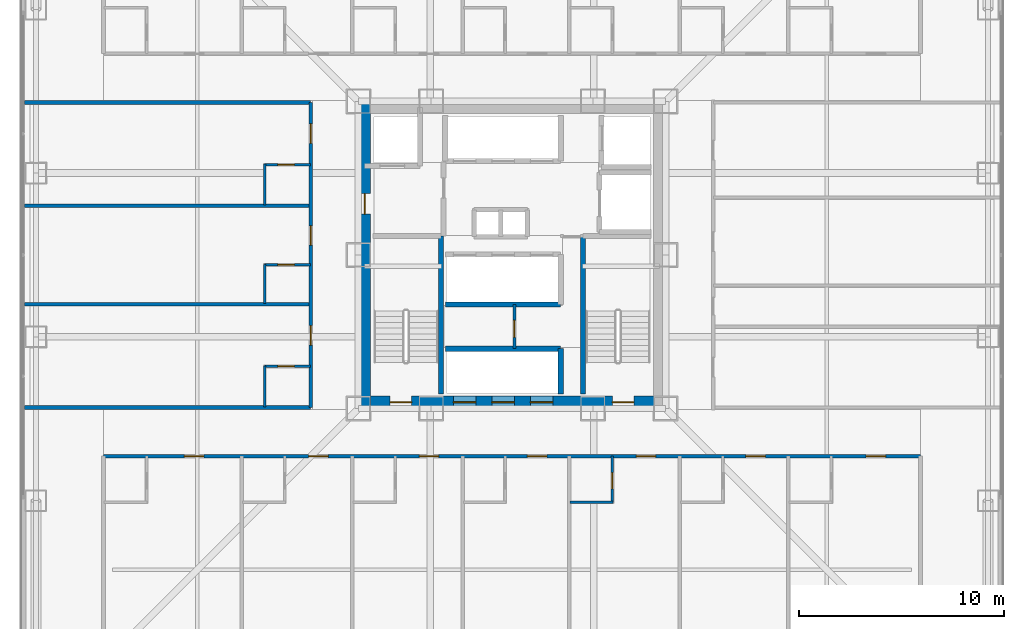
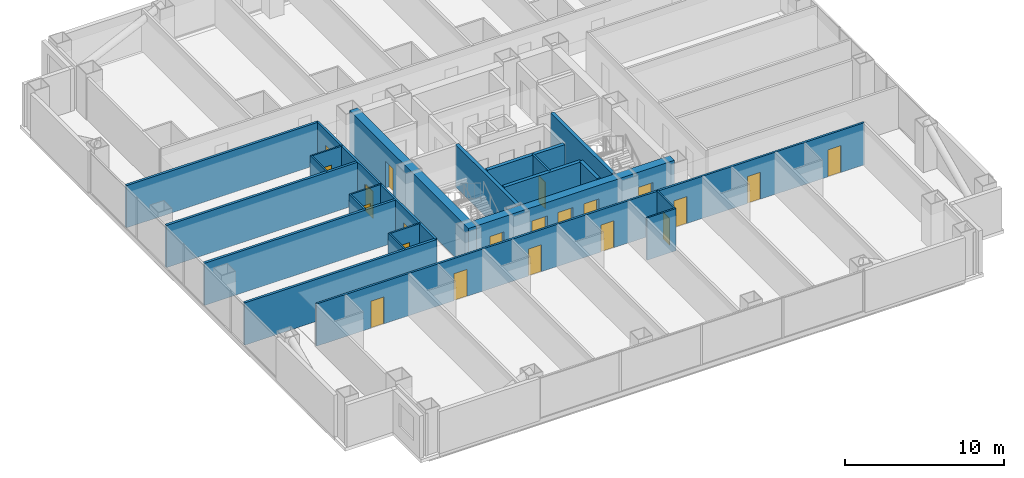
# One storey, part 17 of 23: 22 walls, 21 doors, 21 openings.
"""IFC4 building model written with IfcOpenShell, lengths in metres."""

from ifc_helpers import new_model, si_unit, direction, frame, frame_2d, origin, place, context, subcontext, project, spatial, rectangle, extrude, material, layer, layer_set, type_object, element, fill, save


model = new_model("IFC4")

# Units and contexts
model_context = context("Model", 3, precision=1e-05, world=origin(), true_north=direction((0.0, 1.0)))
body_context = subcontext(model_context, "Body", "Model", "MODEL_VIEW")
ifc_project = project(units=[si_unit("LENGTHUNIT", "METRE"), si_unit("AREAUNIT", "SQUARE_METRE"), si_unit("VOLUMEUNIT", "CUBIC_METRE"), si_unit("PLANEANGLEUNIT", "RADIAN"), si_unit("MASSUNIT", "GRAM", prefix="KILO")], contexts=[model_context])

# Site, building, storey
site_placement = place(None, origin())
site = spatial("IfcSite", under=ifc_project, at=site_placement, CompositionType="ELEMENT")
building_placement = place(site_placement, origin())
building = spatial("IfcBuilding", under=site, at=building_placement, Name="Trevonay Congress Spire", CompositionType="ELEMENT")
storey_placement = place(building_placement, frame((0.0, 0.0, 34.0)))
storey = spatial("IfcBuildingStorey", under=building, at=storey_placement, Name="L07", CompositionType="ELEMENT", Elevation=34.0)

# Wall, opening, door
ifc_material_1 = material(Name="Concrete C40/50", Category="concrete")
ifc_layer_1 = layer(ifc_material_1, 0.1201171875, Name="Concrete C40/50")
ifc_layer_set_1 = layer_set([ifc_layer_1], Name="Concrete C40/50")
wall_type_1 = type_object("IfcWallType", Name="WAL-BATH-120", PredefinedType="PLUMBINGWALL", material=ifc_layer_set_1)
wall_1_placement = place(storey_placement, frame((4.89990234375, -12.080078125, 0.0), z_axis=(0.0, 0.0, 1.0), x_axis=(0.0, 1.0, 0.0)))
wall_1 = element("IfcWall", 1, at=wall_1_placement, inside=storey, type_object=wall_type_1, Name="L07 interior wall WH-L07S-BS5", PredefinedType="PLUMBINGWALL", context=body_context, shape_type="SweptSolid", body=[
    extrude(rectangle(XDim=2.25, YDim=0.1201171875, at=frame_2d((1.125, 0.0))), origin(), (0.0, 0.0, 1.0), 3.25),
])
opening_1_placement = place(wall_1_placement, frame((0.64990234375, 0.0, 0.0)))
opening_1 = element("IfcOpeningElement", 2, at=opening_1_placement, cuts=wall_1, Name="Opening D11", PredefinedType="OPENING", context=body_context, shape_type="SweptSolid", body=[
    extrude(rectangle(XDim=0.800048828125, YDim=2.050048828125, at=frame_2d((0.39990234375, 1.02490234375))), frame((0.0, 0.070068359375, 0.0), z_axis=(0.0, -1.0, 0.0), x_axis=(1.0, 0.0, 0.0)), (0.0, 0.0, 1.0), 0.14013671875),
])
ifc_material_2 = material(Name="Pale Anodised Aluminium EN AW-6063-T6", Category="aluminium")
door_type_1 = type_object("IfcDoorType", Name="DOR-BATH-80", OperationType="NOTDEFINED", PredefinedType="DOOR", material=ifc_material_2)
door_1_placement = place(opening_1_placement, origin())
door_1 = element("IfcDoor", 3, at=door_1_placement, inside=storey, type_object=door_type_1, Name="L07 En-suite Bathroom Door", OperationType="SINGLE_SWING_LEFT", OverallHeight=2.050048828125, OverallWidth=0.800048828125, PredefinedType="DOOR", context=body_context, shape_type="SweptSolid", body=[
    extrude(rectangle(XDim=0.800048828125, YDim=2.050048828125, at=frame_2d((0.39990234375, 1.02490234375))), frame((0.0, 0.02490234375, 0.0), z_axis=(0.0, -1.0, 0.0), x_axis=(1.0, 0.0, 0.0)), (0.0, 0.0, 1.0), 0.050048828125),
])
fill(opening_1, door_1)

# Wall
wall_2_placement = place(storey_placement, frame((2.830078125, -12.080078125, 0.0), z_axis=(0.0, 0.0, 1.0), x_axis=(1.0, 0.0, 0.0)))
element("IfcWall", 4, at=wall_2_placement, inside=storey, type_object=wall_type_1, Name="L07 interior wall WH-L07S-BF5", PredefinedType="PLUMBINGWALL", context=body_context, shape_type="SweptSolid", body=[
    extrude(rectangle(XDim=2.099853515625, YDim=0.1201171875, at=frame_2d((1.0498046875, 0.0))), origin(), (0.0, 0.0, 1.0), 3.25),
])

# Wall, opening, door
wall_3_placement = place(storey_placement, frame((-12.080078125, -5.44189453125, 0.0), z_axis=(0.0, 0.0, 1.0), x_axis=(1.0, 0.0, 0.0)))
wall_3 = element("IfcWall", 5, at=wall_3_placement, inside=storey, type_object=wall_type_1, Name="L07 interior wall WH-L07W-BS1", PredefinedType="PLUMBINGWALL", context=body_context, shape_type="SweptSolid", body=[
    extrude(rectangle(XDim=2.25, YDim=0.1201171875, at=frame_2d((1.125, 0.0))), origin(), (0.0, 0.0, 1.0), 3.25),
])
opening_2_placement = place(wall_3_placement, frame((0.64990234375, 0.0, 0.0)))
opening_2 = element("IfcOpeningElement", 6, at=opening_2_placement, cuts=wall_3, Name="Opening D11", PredefinedType="OPENING", context=body_context, shape_type="SweptSolid", body=[
    extrude(rectangle(XDim=0.800048828125, YDim=2.050048828125, at=frame_2d((0.39990234375, 1.02490234375))), frame((0.0, 0.070068359375, 0.0), z_axis=(0.0, -1.0, 0.0), x_axis=(1.0, 0.0, 0.0)), (0.0, 0.0, 1.0), 0.14013671875),
])
door_2_placement = place(opening_2_placement, origin())
door_2 = element("IfcDoor", 7, at=door_2_placement, inside=storey, type_object=door_type_1, Name="L07 En-suite Bathroom Door", OperationType="SINGLE_SWING_LEFT", OverallHeight=2.050048828125, OverallWidth=0.800048828125, PredefinedType="DOOR", context=body_context, shape_type="SweptSolid", body=[
    extrude(rectangle(XDim=0.800048828125, YDim=2.050048828125, at=frame_2d((0.39990234375, 1.02490234375))), frame((0.0, 0.02490234375, 0.0), z_axis=(0.0, -1.0, 0.0), x_axis=(1.0, 0.0, 0.0)), (0.0, 0.0, 1.0), 0.050048828125),
])
fill(opening_2, door_2)

# Wall
wall_4_placement = place(storey_placement, frame((-12.080078125, -7.419921875, 0.0), z_axis=(0.0, 0.0, 1.0), x_axis=(0.0, 1.0, 0.0)))
element("IfcWall", 8, at=wall_4_placement, inside=storey, type_object=wall_type_1, Name="L07 interior wall WH-L07W-BF1", PredefinedType="PLUMBINGWALL", context=body_context, shape_type="SweptSolid", body=[
    extrude(rectangle(XDim=2.0078125, YDim=0.1201171875, at=frame_2d((1.00390625, 0.0))), origin(), (0.0, 0.0, 1.0), 3.25),
])

# Wall, opening, door
wall_5_placement = place(storey_placement, frame((-12.080078125, -0.487060546875, 0.0), z_axis=(0.0, 0.0, 1.0), x_axis=(1.0, 0.0, 0.0)))
wall_5 = element("IfcWall", 9, at=wall_5_placement, inside=storey, type_object=wall_type_1, Name="L07 interior wall WH-L07W-BS2", PredefinedType="PLUMBINGWALL", context=body_context, shape_type="SweptSolid", body=[
    extrude(rectangle(XDim=2.25, YDim=0.1201171875, at=frame_2d((1.125, 0.0))), origin(), (0.0, 0.0, 1.0), 3.25),
])
opening_3_placement = place(wall_5_placement, frame((0.64990234375, 0.0, 0.0)))
opening_3 = element("IfcOpeningElement", 10, at=opening_3_placement, cuts=wall_5, Name="Opening D11", PredefinedType="OPENING", context=body_context, shape_type="SweptSolid", body=[
    extrude(rectangle(XDim=0.800048828125, YDim=2.050048828125, at=frame_2d((0.39990234375, 1.02490234375))), frame((0.0, 0.070068359375, 0.0), z_axis=(0.0, -1.0, 0.0), x_axis=(1.0, 0.0, 0.0)), (0.0, 0.0, 1.0), 0.14013671875),
])
door_3_placement = place(opening_3_placement, origin())
door_3 = element("IfcDoor", 11, at=door_3_placement, inside=storey, type_object=door_type_1, Name="L07 En-suite Bathroom Door", OperationType="SINGLE_SWING_RIGHT", OverallHeight=2.050048828125, OverallWidth=0.800048828125, PredefinedType="DOOR", context=body_context, shape_type="SweptSolid", body=[
    extrude(rectangle(XDim=0.800048828125, YDim=2.050048828125, at=frame_2d((0.39990234375, 1.02490234375))), frame((0.0, 0.02490234375, 0.0), z_axis=(0.0, -1.0, 0.0), x_axis=(1.0, 0.0, 0.0)), (0.0, 0.0, 1.0), 0.050048828125),
])
fill(opening_3, door_3)

# Wall
wall_6_placement = place(storey_placement, frame((-12.080078125, -2.3701171875, 0.0), z_axis=(0.0, 0.0, 1.0), x_axis=(0.0, 1.0, 0.0)))
element("IfcWall", 12, at=wall_6_placement, inside=storey, type_object=wall_type_1, Name="L07 interior wall WH-L07W-BF2", PredefinedType="PLUMBINGWALL", context=body_context, shape_type="SweptSolid", body=[
    extrude(rectangle(XDim=1.9130859375, YDim=0.1201171875, at=frame_2d((0.95654296875, 0.0))), origin(), (0.0, 0.0, 1.0), 3.25),
])

# Wall, opening, door
wall_7_placement = place(storey_placement, frame((-12.080078125, 4.407958984375, 0.0), z_axis=(0.0, 0.0, 1.0), x_axis=(1.0, 0.0, 0.0)))
wall_7 = element("IfcWall", 13, at=wall_7_placement, inside=storey, type_object=wall_type_1, Name="L07 interior wall WH-L07W-BS3", PredefinedType="PLUMBINGWALL", context=body_context, shape_type="SweptSolid", body=[
    extrude(rectangle(XDim=2.25, YDim=0.1201171875, at=frame_2d((1.125, 0.0))), origin(), (0.0, 0.0, 1.0), 3.25),
])
opening_4_placement = place(wall_7_placement, frame((0.64990234375, 0.0, 0.0)))
opening_4 = element("IfcOpeningElement", 14, at=opening_4_placement, cuts=wall_7, Name="Opening D11", PredefinedType="OPENING", context=body_context, shape_type="SweptSolid", body=[
    extrude(rectangle(XDim=0.800048828125, YDim=2.050048828125, at=frame_2d((0.39990234375, 1.02490234375))), frame((0.0, 0.070068359375, 0.0), z_axis=(0.0, -1.0, 0.0), x_axis=(1.0, 0.0, 0.0)), (0.0, 0.0, 1.0), 0.14013671875),
])
door_4_placement = place(opening_4_placement, origin())
door_4 = element("IfcDoor", 15, at=door_4_placement, inside=storey, type_object=door_type_1, Name="L07 En-suite Bathroom Door", OperationType="SINGLE_SWING_LEFT", OverallHeight=2.050048828125, OverallWidth=0.800048828125, PredefinedType="DOOR", context=body_context, shape_type="SweptSolid", body=[
    extrude(rectangle(XDim=0.800048828125, YDim=2.050048828125, at=frame_2d((0.39990234375, 1.02490234375))), frame((0.0, 0.02490234375, 0.0), z_axis=(0.0, -1.0, 0.0), x_axis=(1.0, 0.0, 0.0)), (0.0, 0.0, 1.0), 0.050048828125),
])
fill(opening_4, door_4)

# Wall
wall_8_placement = place(storey_placement, frame((-12.080078125, 2.429931640625, 0.0), z_axis=(0.0, 0.0, 1.0), x_axis=(0.0, 1.0, 0.0)))
element("IfcWall", 16, at=wall_8_placement, inside=storey, type_object=wall_type_1, Name="L07 interior wall WH-L07W-BF3", PredefinedType="PLUMBINGWALL", context=body_context, shape_type="SweptSolid", body=[
    extrude(rectangle(XDim=2.008056640625, YDim=0.1201171875, at=frame_2d((1.00390625, 0.0))), origin(), (0.0, 0.0, 1.0), 3.25),
])

# Wall, openings, doors
ifc_material_3 = material(Name="Concrete C60/75", Category="concrete")
ifc_layer_2 = layer(ifc_material_3, 0.60009765625, Name="Concrete C60/75")
ifc_layer_set_2 = layer_set([ifc_layer_2], Name="Concrete C60/75")
wall_type_2 = type_object("IfcWallType", Name="WAL-CORE-600", PredefinedType="SHEAR", material=ifc_layer_set_2)
wall_9_placement = place(storey_placement, frame((-7.5, -7.199951171875, 0.0), z_axis=(0.0, 0.0, 1.0), x_axis=(1.0, 0.0, 0.0)))
wall_9 = element("IfcWall", 17, at=wall_9_placement, inside=storey, type_object=wall_type_2, Name="L07 South structural core shear wall", PredefinedType="SHEAR", context=body_context, shape_type="SweptSolid", body=[
    extrude(rectangle(XDim=15.0, YDim=0.60009765625, at=frame_2d((7.5, 0.0))), origin(), (0.0, 0.0, 1.0), 3.25),
])
opening_5_placement = place(wall_9_placement, frame((1.550048828125, 0.0, 0.0)))
opening_5 = element("IfcOpeningElement", 18, at=opening_5_placement, cuts=wall_9, Name="Opening D05", PredefinedType="OPENING", context=body_context, shape_type="SweptSolid", body=[
    extrude(rectangle(XDim=1.050048828125, YDim=2.080078125, at=frame_2d((0.52490234375, 1.0400390625))), frame((0.0, 0.31005859375, 0.0), z_axis=(0.0, -1.0, 0.0), x_axis=(1.0, 0.0, 0.0)), (0.0, 0.0, 1.0), 0.6201171875),
])
opening_6_placement = place(wall_9_placement, frame((12.39990234375, 0.0, 0.0)))
opening_6 = element("IfcOpeningElement", 19, at=opening_6_placement, cuts=wall_9, Name="Opening D05", PredefinedType="OPENING", context=body_context, shape_type="SweptSolid", body=[
    extrude(rectangle(XDim=1.050048828125, YDim=2.080078125, at=frame_2d((0.52490234375, 1.0400390625))), frame((0.0, 0.31005859375, 0.0), z_axis=(0.0, -1.0, 0.0), x_axis=(1.0, 0.0, 0.0)), (0.0, 0.0, 1.0), 0.6201171875),
])
opening_7_placement = place(wall_9_placement, frame((4.639892578125, 0.0, 0.0)))
opening_7 = element("IfcOpeningElement", 20, at=opening_7_placement, cuts=wall_9, Name="Opening LD01", PredefinedType="OPENING", context=body_context, shape_type="SweptSolid", body=[
    extrude(rectangle(XDim=1.10009765625, YDim=2.199951171875, at=frame_2d((0.550048828125, 1.10009765625))), frame((0.0, 0.31005859375, 0.0), z_axis=(0.0, -1.0, 0.0), x_axis=(1.0, 0.0, 0.0)), (0.0, 0.0, 1.0), 0.6201171875),
])
opening_8_placement = place(wall_9_placement, frame((6.52001953125, 0.0, 0.0)))
opening_8 = element("IfcOpeningElement", 21, at=opening_8_placement, cuts=wall_9, Name="Opening LD01", PredefinedType="OPENING", context=body_context, shape_type="SweptSolid", body=[
    extrude(rectangle(XDim=1.10009765625, YDim=2.199951171875, at=frame_2d((0.550048828125, 1.10009765625))), frame((0.0, 0.31005859375, 0.0), z_axis=(0.0, -1.0, 0.0), x_axis=(1.0, 0.0, 0.0)), (0.0, 0.0, 1.0), 0.6201171875),
])
opening_9_placement = place(wall_9_placement, frame((8.39990234375, 0.0, 0.0)))
opening_9 = element("IfcOpeningElement", 22, at=opening_9_placement, cuts=wall_9, Name="Opening LD01", PredefinedType="OPENING", context=body_context, shape_type="SweptSolid", body=[
    extrude(rectangle(XDim=1.10009765625, YDim=2.199951171875, at=frame_2d((0.550048828125, 1.10009765625))), frame((0.0, 0.31005859375, 0.0), z_axis=(0.0, -1.0, 0.0), x_axis=(1.0, 0.0, 0.0)), (0.0, 0.0, 1.0), 0.6201171875),
])
door_type_2 = type_object("IfcDoorType", Name="DOR-LIFT-LD01", OperationType="DOUBLE_DOOR_SLIDING", PredefinedType="DOOR", material=ifc_material_2)
door_5_placement = place(opening_7_placement, origin())
door_5 = element("IfcDoor", 23, at=door_5_placement, inside=storey, type_object=door_type_2, Name="L07 Passenger lift PL-01 landing door", OperationType="DOUBLE_DOOR_SLIDING", OverallHeight=2.199951171875, OverallWidth=1.10009765625, PredefinedType="DOOR", context=body_context, shape_type="SweptSolid", body=[
    extrude(rectangle(XDim=1.10009765625, YDim=2.199951171875, at=frame_2d((0.550048828125, 1.10009765625))), frame((0.0, 0.02490234375, 0.0), z_axis=(0.0, -1.0, 0.0), x_axis=(1.0, 0.0, 0.0)), (0.0, 0.0, 1.0), 0.050048828125),
])
fill(opening_7, door_5)
door_6_placement = place(opening_8_placement, origin())
door_6 = element("IfcDoor", 24, at=door_6_placement, inside=storey, type_object=door_type_2, Name="L07 Passenger lift PL-02 landing door", OperationType="DOUBLE_DOOR_SLIDING", OverallHeight=2.199951171875, OverallWidth=1.10009765625, PredefinedType="DOOR", context=body_context, shape_type="SweptSolid", body=[
    extrude(rectangle(XDim=1.10009765625, YDim=2.199951171875, at=frame_2d((0.550048828125, 1.10009765625))), frame((0.0, 0.02490234375, 0.0), z_axis=(0.0, -1.0, 0.0), x_axis=(1.0, 0.0, 0.0)), (0.0, 0.0, 1.0), 0.050048828125),
])
fill(opening_8, door_6)
door_7_placement = place(opening_9_placement, origin())
door_7 = element("IfcDoor", 25, at=door_7_placement, inside=storey, type_object=door_type_2, Name="L07 Passenger lift PL-03 landing door", OperationType="DOUBLE_DOOR_SLIDING", OverallHeight=2.199951171875, OverallWidth=1.10009765625, PredefinedType="DOOR", context=body_context, shape_type="SweptSolid", body=[
    extrude(rectangle(XDim=1.10009765625, YDim=2.199951171875, at=frame_2d((0.550048828125, 1.10009765625))), frame((0.0, 0.02490234375, 0.0), z_axis=(0.0, -1.0, 0.0), x_axis=(1.0, 0.0, 0.0)), (0.0, 0.0, 1.0), 0.050048828125),
])
fill(opening_9, door_7)
ifc_material_4 = material(Name="Steel ASTM A572 Grade 50", Category="steel")
door_type_3 = type_object("IfcDoorType", Name="DOR-STAIR-110", OperationType="NOTDEFINED", PredefinedType="DOOR", material=ifc_material_4)
door_8_placement = place(opening_5_placement, origin())
door_8 = element("IfcDoor", 26, at=door_8_placement, inside=storey, type_object=door_type_3, Name="L07 Protected Stair ST-1 Door", OperationType="SINGLE_SWING_LEFT", OverallHeight=2.080078125, OverallWidth=1.050048828125, PredefinedType="DOOR", context=body_context, shape_type="SweptSolid", body=[
    extrude(rectangle(XDim=1.050048828125, YDim=2.080078125, at=frame_2d((0.52490234375, 1.0400390625))), frame((0.0, 0.02490234375, 0.0), z_axis=(0.0, -1.0, 0.0), x_axis=(1.0, 0.0, 0.0)), (0.0, 0.0, 1.0), 0.050048828125),
])
fill(opening_5, door_8)
door_9_placement = place(opening_6_placement, origin())
door_9 = element("IfcDoor", 27, at=door_9_placement, inside=storey, type_object=door_type_3, Name="L07 Protected Stair ST-2 Door", OperationType="SINGLE_SWING_RIGHT", OverallHeight=2.080078125, OverallWidth=1.050048828125, PredefinedType="DOOR", context=body_context, shape_type="SweptSolid", body=[
    extrude(rectangle(XDim=1.050048828125, YDim=2.080078125, at=frame_2d((0.52490234375, 1.0400390625))), frame((0.0, 0.02490234375, 0.0), z_axis=(0.0, -1.0, 0.0), x_axis=(1.0, 0.0, 0.0)), (0.0, 0.0, 1.0), 0.050048828125),
])
fill(opening_6, door_9)

# Wall, opening, door
wall_10_placement = place(storey_placement, frame((-7.199951171875, -7.5, 0.0), z_axis=(0.0, 0.0, 1.0), x_axis=(0.0, 1.0, 0.0)))
wall_10 = element("IfcWall", 28, at=wall_10_placement, inside=storey, type_object=wall_type_2, Name="L07 West structural core shear wall", PredefinedType="SHEAR", context=body_context, shape_type="SweptSolid", body=[
    extrude(rectangle(XDim=15.0, YDim=0.60009765625, at=frame_2d((7.5, 0.0))), origin(), (0.0, 0.0, 1.0), 3.25),
])
opening_10_placement = place(wall_10_placement, frame((9.5, 0.0, 0.0)))
opening_10 = element("IfcOpeningElement", 29, at=opening_10_placement, cuts=wall_10, Name="Opening D06", PredefinedType="OPENING", context=body_context, shape_type="SweptSolid", body=[
    extrude(rectangle(XDim=1.0, YDim=2.080078125, at=frame_2d((0.5, 1.0400390625))), frame((0.0, 0.31005859375, 0.0), z_axis=(0.0, -1.0, 0.0), x_axis=(1.0, 0.0, 0.0)), (0.0, 0.0, 1.0), 0.6201171875),
])
door_type_4 = type_object("IfcDoorType", Name="DOR-FIRE-100", OperationType="NOTDEFINED", PredefinedType="DOOR", material=ifc_material_4)
door_10_placement = place(opening_10_placement, origin())
door_10 = element("IfcDoor", 30, at=door_10_placement, inside=storey, type_object=door_type_4, Name="L07 Firefighting Lift Lobby West Corridor Door", OperationType="SINGLE_SWING_LEFT", OverallHeight=2.080078125, OverallWidth=1.0, PredefinedType="DOOR", context=body_context, shape_type="SweptSolid", body=[
    extrude(rectangle(XDim=1.0, YDim=2.080078125, at=frame_2d((0.5, 1.0400390625))), frame((0.0, 0.02490234375, 0.0), z_axis=(0.0, -1.0, 0.0), x_axis=(1.0, 0.0, 0.0)), (0.0, 0.0, 1.0), 0.050048828125),
])
fill(opening_10, door_10)

# Wall, openings, doors
ifc_layer_3 = layer(ifc_material_1, 0.14990234375, Name="Concrete C40/50")
ifc_layer_set_3 = layer_set([ifc_layer_3], Name="Concrete C40/50")
wall_type_3 = type_object("IfcWallType", Name="WAL-CORR-150", PredefinedType="PARTITIONING", material=ifc_layer_set_3)
wall_11_placement = place(storey_placement, frame((-19.949951171875, -9.830078125, 0.0), z_axis=(0.0, 0.0, 1.0), x_axis=(1.0, 0.0, 0.0)))
wall_11 = element("IfcWall", 31, at=wall_11_placement, inside=storey, type_object=wall_type_3, Name="L07 interior wall WH-L07S-COR", PredefinedType="PARTITIONING", context=body_context, shape_type="SweptSolid", body=[
    extrude(rectangle(XDim=39.89990234375, YDim=0.14990234375, at=frame_2d((19.949951171875, 0.0))), origin(), (0.0, 0.0, 1.0), 3.25),
])
opening_11_placement = place(wall_11_placement, frame((3.945068359375, 0.0, 0.0)))
opening_11 = element("IfcOpeningElement", 32, at=opening_11_placement, cuts=wall_11, Name="Opening D08", PredefinedType="OPENING", context=body_context, shape_type="SweptSolid", body=[
    extrude(rectangle(XDim=0.949951171875, YDim=2.080078125, at=frame_2d((0.47509765625, 1.0400390625))), frame((0.0, 0.0849609375, 0.0), z_axis=(0.0, -1.0, 0.0), x_axis=(1.0, 0.0, 0.0)), (0.0, 0.0, 1.0), 0.169921875),
])
opening_12_placement = place(wall_11_placement, frame((10.02001953125, 0.0, 0.0)))
opening_12 = element("IfcOpeningElement", 33, at=opening_12_placement, cuts=wall_11, Name="Opening D08", PredefinedType="OPENING", context=body_context, shape_type="SweptSolid", body=[
    extrude(rectangle(XDim=0.949951171875, YDim=2.080078125, at=frame_2d((0.47509765625, 1.0400390625))), frame((0.0, 0.0849609375, 0.0), z_axis=(0.0, -1.0, 0.0), x_axis=(1.0, 0.0, 0.0)), (0.0, 0.0, 1.0), 0.169921875),
])
opening_13_placement = place(wall_11_placement, frame((15.419921875, 0.0, 0.0)))
opening_13 = element("IfcOpeningElement", 34, at=opening_13_placement, cuts=wall_11, Name="Opening D08", PredefinedType="OPENING", context=body_context, shape_type="SweptSolid", body=[
    extrude(rectangle(XDim=0.949951171875, YDim=2.080078125, at=frame_2d((0.47509765625, 1.0400390625))), frame((0.0, 0.0849609375, 0.0), z_axis=(0.0, -1.0, 0.0), x_axis=(1.0, 0.0, 0.0)), (0.0, 0.0, 1.0), 0.169921875),
])
opening_14_placement = place(wall_11_placement, frame((20.702392578125, 0.0, 0.0)))
opening_14 = element("IfcOpeningElement", 35, at=opening_14_placement, cuts=wall_11, Name="Opening D08", PredefinedType="OPENING", context=body_context, shape_type="SweptSolid", body=[
    extrude(rectangle(XDim=0.949951171875, YDim=2.080078125, at=frame_2d((0.47509765625, 1.0400390625))), frame((0.0, 0.0849609375, 0.0), z_axis=(0.0, -1.0, 0.0), x_axis=(1.0, 0.0, 0.0)), (0.0, 0.0, 1.0), 0.169921875),
])
opening_15_placement = place(wall_11_placement, frame((26.02001953125, 0.0, 0.0)))
opening_15 = element("IfcOpeningElement", 36, at=opening_15_placement, cuts=wall_11, Name="Opening D08", PredefinedType="OPENING", context=body_context, shape_type="SweptSolid", body=[
    extrude(rectangle(XDim=0.949951171875, YDim=2.080078125, at=frame_2d((0.47509765625, 1.0400390625))), frame((0.0, 0.0849609375, 0.0), z_axis=(0.0, -1.0, 0.0), x_axis=(1.0, 0.0, 0.0)), (0.0, 0.0, 1.0), 0.169921875),
])
opening_16_placement = place(wall_11_placement, frame((31.3701171875, 0.0, 0.0)))
opening_16 = element("IfcOpeningElement", 37, at=opening_16_placement, cuts=wall_11, Name="Opening D08", PredefinedType="OPENING", context=body_context, shape_type="SweptSolid", body=[
    extrude(rectangle(XDim=0.949951171875, YDim=2.080078125, at=frame_2d((0.47509765625, 1.0400390625))), frame((0.0, 0.0849609375, 0.0), z_axis=(0.0, -1.0, 0.0), x_axis=(1.0, 0.0, 0.0)), (0.0, 0.0, 1.0), 0.169921875),
])
opening_17_placement = place(wall_11_placement, frame((37.2451171875, 0.0, 0.0)))
opening_17 = element("IfcOpeningElement", 38, at=opening_17_placement, cuts=wall_11, Name="Opening D08", PredefinedType="OPENING", context=body_context, shape_type="SweptSolid", body=[
    extrude(rectangle(XDim=0.949951171875, YDim=2.080078125, at=frame_2d((0.47509765625, 1.0400390625))), frame((0.0, 0.0849609375, 0.0), z_axis=(0.0, -1.0, 0.0), x_axis=(1.0, 0.0, 0.0)), (0.0, 0.0, 1.0), 0.169921875),
])
door_type_5 = type_object("IfcDoorType", Name="DOR-SUITE-95", OperationType="NOTDEFINED", PredefinedType="DOOR", material=ifc_material_2)
door_11_placement = place(opening_11_placement, origin())
door_11 = element("IfcDoor", 39, at=door_11_placement, inside=storey, type_object=door_type_5, Name="L07 Corner Hotel Suite Entrance Door", OperationType="SINGLE_SWING_RIGHT", OverallHeight=2.080078125, OverallWidth=0.949951171875, PredefinedType="DOOR", context=body_context, shape_type="SweptSolid", body=[
    extrude(rectangle(XDim=0.949951171875, YDim=2.080078125, at=frame_2d((0.47509765625, 1.0400390625))), frame((0.0, 0.02490234375, 0.0), z_axis=(0.0, -1.0, 0.0), x_axis=(1.0, 0.0, 0.0)), (0.0, 0.0, 1.0), 0.050048828125),
])
fill(opening_11, door_11)
door_12_placement = place(opening_12_placement, origin())
door_12 = element("IfcDoor", 40, at=door_12_placement, inside=storey, type_object=door_type_5, Name="L07 Hotel Guest Room Entrance Door", OperationType="SINGLE_SWING_LEFT", OverallHeight=2.080078125, OverallWidth=0.949951171875, PredefinedType="DOOR", context=body_context, shape_type="SweptSolid", body=[
    extrude(rectangle(XDim=0.949951171875, YDim=2.080078125, at=frame_2d((0.47509765625, 1.0400390625))), frame((0.0, 0.02490234375, 0.0), z_axis=(0.0, -1.0, 0.0), x_axis=(1.0, 0.0, 0.0)), (0.0, 0.0, 1.0), 0.050048828125),
])
fill(opening_12, door_12)
door_13_placement = place(opening_13_placement, origin())
door_13 = element("IfcDoor", 41, at=door_13_placement, inside=storey, type_object=door_type_5, Name="L07 Hotel Guest Room Entrance Door", OperationType="SINGLE_SWING_RIGHT", OverallHeight=2.080078125, OverallWidth=0.949951171875, PredefinedType="DOOR", context=body_context, shape_type="SweptSolid", body=[
    extrude(rectangle(XDim=0.949951171875, YDim=2.080078125, at=frame_2d((0.47509765625, 1.0400390625))), frame((0.0, 0.02490234375, 0.0), z_axis=(0.0, -1.0, 0.0), x_axis=(1.0, 0.0, 0.0)), (0.0, 0.0, 1.0), 0.050048828125),
])
fill(opening_13, door_13)
door_14_placement = place(opening_14_placement, origin())
door_14 = element("IfcDoor", 42, at=door_14_placement, inside=storey, type_object=door_type_5, Name="L07 Hotel Guest Room Entrance Door", OperationType="SINGLE_SWING_LEFT", OverallHeight=2.080078125, OverallWidth=0.949951171875, PredefinedType="DOOR", context=body_context, shape_type="SweptSolid", body=[
    extrude(rectangle(XDim=0.949951171875, YDim=2.080078125, at=frame_2d((0.47509765625, 1.0400390625))), frame((0.0, 0.02490234375, 0.0), z_axis=(0.0, -1.0, 0.0), x_axis=(1.0, 0.0, 0.0)), (0.0, 0.0, 1.0), 0.050048828125),
])
fill(opening_14, door_14)
door_15_placement = place(opening_15_placement, origin())
door_15 = element("IfcDoor", 43, at=door_15_placement, inside=storey, type_object=door_type_5, Name="L07 Hotel Guest Room Entrance Door", OperationType="SINGLE_SWING_RIGHT", OverallHeight=2.080078125, OverallWidth=0.949951171875, PredefinedType="DOOR", context=body_context, shape_type="SweptSolid", body=[
    extrude(rectangle(XDim=0.949951171875, YDim=2.080078125, at=frame_2d((0.47509765625, 1.0400390625))), frame((0.0, 0.02490234375, 0.0), z_axis=(0.0, -1.0, 0.0), x_axis=(1.0, 0.0, 0.0)), (0.0, 0.0, 1.0), 0.050048828125),
])
fill(opening_15, door_15)
door_16_placement = place(opening_16_placement, origin())
door_16 = element("IfcDoor", 44, at=door_16_placement, inside=storey, type_object=door_type_5, Name="L07 Hotel Guest Room Entrance Door", OperationType="SINGLE_SWING_LEFT", OverallHeight=2.080078125, OverallWidth=0.949951171875, PredefinedType="DOOR", context=body_context, shape_type="SweptSolid", body=[
    extrude(rectangle(XDim=0.949951171875, YDim=2.080078125, at=frame_2d((0.47509765625, 1.0400390625))), frame((0.0, 0.02490234375, 0.0), z_axis=(0.0, -1.0, 0.0), x_axis=(1.0, 0.0, 0.0)), (0.0, 0.0, 1.0), 0.050048828125),
])
fill(opening_16, door_16)
door_17_placement = place(opening_17_placement, origin())
door_17 = element("IfcDoor", 45, at=door_17_placement, inside=storey, type_object=door_type_5, Name="L07 Corner Hotel Suite Entrance Door", OperationType="SINGLE_SWING_RIGHT", OverallHeight=2.080078125, OverallWidth=0.949951171875, PredefinedType="DOOR", context=body_context, shape_type="SweptSolid", body=[
    extrude(rectangle(XDim=0.949951171875, YDim=2.080078125, at=frame_2d((0.47509765625, 1.0400390625))), frame((0.0, 0.02490234375, 0.0), z_axis=(0.0, -1.0, 0.0), x_axis=(1.0, 0.0, 0.0)), (0.0, 0.0, 1.0), 0.050048828125),
])
fill(opening_17, door_17)

wall_12_placement = place(storey_placement, frame((-9.830078125, -7.449951171875, 0.0), z_axis=(0.0, 0.0, 1.0), x_axis=(0.0, 1.0, 0.0)))
wall_12 = element("IfcWall", 46, at=wall_12_placement, inside=storey, type_object=wall_type_3, Name="L07 interior wall WH-L07W-COR", PredefinedType="PARTITIONING", context=body_context, shape_type="SweptSolid", body=[
    extrude(rectangle(XDim=14.89990234375, YDim=0.14990234375, at=frame_2d((7.449951171875, 0.0))), origin(), (0.0, 0.0, 1.0), 3.25),
])
opening_18_placement = place(wall_12_placement, frame((3.049072265625, 0.0, 0.0)))
opening_18 = element("IfcOpeningElement", 47, at=opening_18_placement, cuts=wall_12, Name="Opening D08", PredefinedType="OPENING", context=body_context, shape_type="SweptSolid", body=[
    extrude(rectangle(XDim=0.949951171875, YDim=2.080078125, at=frame_2d((0.47509765625, 1.0400390625))), frame((0.0, 0.0849609375, 0.0), z_axis=(0.0, -1.0, 0.0), x_axis=(1.0, 0.0, 0.0)), (0.0, 0.0, 1.0), 0.169921875),
])
opening_19_placement = place(wall_12_placement, frame((7.926513671875, 0.0, 0.0)))
opening_19 = element("IfcOpeningElement", 48, at=opening_19_placement, cuts=wall_12, Name="Opening D08", PredefinedType="OPENING", context=body_context, shape_type="SweptSolid", body=[
    extrude(rectangle(XDim=0.949951171875, YDim=2.080078125, at=frame_2d((0.47509765625, 1.0400390625))), frame((0.0, 0.0849609375, 0.0), z_axis=(0.0, -1.0, 0.0), x_axis=(1.0, 0.0, 0.0)), (0.0, 0.0, 1.0), 0.169921875),
])
opening_20_placement = place(wall_12_placement, frame((12.89892578125, 0.0, 0.0)))
opening_20 = element("IfcOpeningElement", 49, at=opening_20_placement, cuts=wall_12, Name="Opening D08", PredefinedType="OPENING", context=body_context, shape_type="SweptSolid", body=[
    extrude(rectangle(XDim=0.949951171875, YDim=2.080078125, at=frame_2d((0.47509765625, 1.0400390625))), frame((0.0, 0.0849609375, 0.0), z_axis=(0.0, -1.0, 0.0), x_axis=(1.0, 0.0, 0.0)), (0.0, 0.0, 1.0), 0.169921875),
])
door_18_placement = place(opening_18_placement, origin())
door_18 = element("IfcDoor", 50, at=door_18_placement, inside=storey, type_object=door_type_5, Name="L07 Hotel Guest Room Entrance Door", OperationType="SINGLE_SWING_RIGHT", OverallHeight=2.080078125, OverallWidth=0.949951171875, PredefinedType="DOOR", context=body_context, shape_type="SweptSolid", body=[
    extrude(rectangle(XDim=0.949951171875, YDim=2.080078125, at=frame_2d((0.47509765625, 1.0400390625))), frame((0.0, 0.02490234375, 0.0), z_axis=(0.0, -1.0, 0.0), x_axis=(1.0, 0.0, 0.0)), (0.0, 0.0, 1.0), 0.050048828125),
])
fill(opening_18, door_18)
door_19_placement = place(opening_19_placement, origin())
door_19 = element("IfcDoor", 51, at=door_19_placement, inside=storey, type_object=door_type_5, Name="L07 Corner Hotel Suite Entrance Door", OperationType="SINGLE_SWING_LEFT", OverallHeight=2.080078125, OverallWidth=0.949951171875, PredefinedType="DOOR", context=body_context, shape_type="SweptSolid", body=[
    extrude(rectangle(XDim=0.949951171875, YDim=2.080078125, at=frame_2d((0.47509765625, 1.0400390625))), frame((0.0, 0.02490234375, 0.0), z_axis=(0.0, -1.0, 0.0), x_axis=(1.0, 0.0, 0.0)), (0.0, 0.0, 1.0), 0.050048828125),
])
fill(opening_19, door_19)
door_20_placement = place(opening_20_placement, origin())
door_20 = element("IfcDoor", 52, at=door_20_placement, inside=storey, type_object=door_type_5, Name="L07 Hotel Guest Room Entrance Door", OperationType="SINGLE_SWING_RIGHT", OverallHeight=2.080078125, OverallWidth=0.949951171875, PredefinedType="DOOR", context=body_context, shape_type="SweptSolid", body=[
    extrude(rectangle(XDim=0.949951171875, YDim=2.080078125, at=frame_2d((0.47509765625, 1.0400390625))), frame((0.0, 0.02490234375, 0.0), z_axis=(0.0, -1.0, 0.0), x_axis=(1.0, 0.0, 0.0)), (0.0, 0.0, 1.0), 0.050048828125),
])
fill(opening_20, door_20)

# Walls
ifc_layer_4 = layer(ifc_material_1, 0.179931640625, Name="Concrete C40/50")
ifc_layer_set_4 = layer_set([ifc_layer_4], Name="Concrete C40/50")
wall_type_4 = type_object("IfcWallType", Name="WAL-HOTEL-180", PredefinedType="PARTITIONING", material=ifc_layer_set_4)
for number, where, z_axis, x_axis, name in (
    (53, (-23.820068359375, -7.449951171875, 0.0), (0.0, 0.0, 1.0), (1.0, 0.0, 0.0), "L07 interior wall WH-L07W-DIV1"),
    (54, (-23.820068359375, -2.39990234375, 0.0), (0.0, 0.0, 1.0), (1.0, 0.0, 0.0), "L07 interior wall WH-L07W-DIV2"),
    (55, (-23.820068359375, 2.39990234375, 0.0), (0.0, 0.0, 1.0), (1.0, 0.0, 0.0), "L07 interior wall WH-L07W-DIV3"),
    (56, (-23.820068359375, 7.449951171875, 0.0), (0.0, 0.0, 1.0), (1.0, 0.0, 0.0), "L07 interior wall WH-L07W-DIV4"),
):
    element("IfcWall", number, at=place(storey_placement, frame(where, z_axis=z_axis, x_axis=x_axis)), inside=storey, type_object=wall_type_4, Name=name, PredefinedType="PARTITIONING", context=body_context, shape_type="SweptSolid", body=[
        extrude(rectangle(XDim=13.989990234375, YDim=0.179931640625, at=frame_2d((6.9951171875, 0.0))), origin(), (0.0, 0.0, 1.0), 3.25),
    ])

# Wall, opening, door
ifc_layer_5 = layer(ifc_material_1, 0.14990234375, Name="Concrete C40/50")
ifc_layer_set_5 = layer_set([ifc_layer_5], Name="Concrete C40/50")
wall_type_5 = type_object("IfcWallType", Name="WAL-PART-150", PredefinedType="PARTITIONING", material=ifc_layer_set_5)
wall_13_placement = place(storey_placement, frame((0.1201171875, -4.570068359375, 0.0), z_axis=(0.0, 0.0, 1.0), x_axis=(0.0, 1.0, 0.0)))
wall_13 = element("IfcWall", 57, at=wall_13_placement, inside=storey, type_object=wall_type_5, Name="L07 interior wall CW-K1-L07", PredefinedType="PARTITIONING", context=body_context, shape_type="SweptSolid", body=[
    extrude(rectangle(XDim=2.14013671875, YDim=0.14990234375, at=frame_2d((1.070068359375, 0.0))), origin(), (0.0, 0.0, 1.0), 3.25),
])
opening_21_placement = place(wall_13_placement, frame((0.550048828125, 0.0, 0.0)))
opening_21 = element("IfcOpeningElement", 58, at=opening_21_placement, cuts=wall_13, Name="Opening D13", PredefinedType="OPENING", context=body_context, shape_type="SweptSolid", body=[
    extrude(rectangle(XDim=0.820068359375, YDim=2.050048828125, at=frame_2d((0.41015625, 1.02490234375))), frame((0.0, 0.0849609375, 0.0), z_axis=(0.0, -1.0, 0.0), x_axis=(1.0, 0.0, 0.0)), (0.0, 0.0, 1.0), 0.169921875),
])
door_type_6 = type_object("IfcDoorType", Name="DOR-UTIL-80", OperationType="NOTDEFINED", PredefinedType="DOOR", material=ifc_material_4)
door_21_placement = place(opening_21_placement, origin())
door_21 = element("IfcDoor", 59, at=door_21_placement, inside=storey, type_object=door_type_6, Name="L07 Core Closet Door", OperationType="SINGLE_SWING_RIGHT", OverallHeight=2.050048828125, OverallWidth=0.820068359375, PredefinedType="DOOR", context=body_context, shape_type="SweptSolid", body=[
    extrude(rectangle(XDim=0.820068359375, YDim=2.050048828125, at=frame_2d((0.41015625, 1.02490234375))), frame((0.0, 0.02490234375, 0.0), z_axis=(0.0, -1.0, 0.0), x_axis=(1.0, 0.0, 0.0)), (0.0, 0.0, 1.0), 0.050048828125),
])
fill(opening_21, door_21)

# Walls
ifc_layer_6 = layer(ifc_material_1, 0.25, Name="Concrete C40/50")
ifc_layer_set_6 = layer_set([ifc_layer_6], Name="Concrete C40/50")
wall_type_6 = type_object("IfcWallType", Name="WAL-SHAFT-250", PredefinedType="SHEAR", material=ifc_layer_set_6)
wall_14_placement = place(storey_placement, frame((-3.260009765625, -4.580078125, 0.0), z_axis=(0.0, 0.0, 1.0), x_axis=(1.0, 0.0, 0.0)))
element("IfcWall", 60, at=wall_14_placement, inside=storey, type_object=wall_type_6, Name="L07 interior shaft wall WSH-L07-B1-N", PredefinedType="SHEAR", context=body_context, shape_type="SweptSolid", body=[
    extrude(rectangle(XDim=5.639892578125, YDim=0.25, at=frame_2d((2.81982421875, 0.0))), origin(), (0.0, 0.0, 1.0), 3.25),
])
wall_15_placement = place(storey_placement, frame((2.3798828125, -6.800048828125, 0.0), z_axis=(0.0, 0.0, 1.0), x_axis=(0.0, 1.0, 0.0)))
element("IfcWall", 61, at=wall_15_placement, inside=storey, type_object=wall_type_6, Name="L07 interior shaft wall WSH-L07-B1-E", PredefinedType="SHEAR", context=body_context, shape_type="SweptSolid", body=[
    extrude(rectangle(XDim=2.219970703125, YDim=0.25, at=frame_2d((1.10986328125, 0.0))), origin(), (0.0, 0.0, 1.0), 3.25),
])
wall_16_placement = place(storey_placement, frame((-3.260009765625, -2.419921875, 0.0), z_axis=(0.0, 0.0, 1.0), x_axis=(1.0, 0.0, 0.0)))
element("IfcWall", 62, at=wall_16_placement, inside=storey, type_object=wall_type_6, Name="L07 interior shaft wall WSH-L07-B2-S", PredefinedType="SHEAR", context=body_context, shape_type="SweptSolid", body=[
    extrude(rectangle(XDim=5.639892578125, YDim=0.25, at=frame_2d((2.81982421875, 0.0))), origin(), (0.0, 0.0, 1.0), 3.25),
])
ifc_layer_7 = layer(ifc_material_1, 0.25, Name="Concrete C40/50")
ifc_layer_set_7 = layer_set([ifc_layer_7], Name="Concrete C40/50")
wall_type_7 = type_object("IfcWallType", Name="WAL-SHAFT-LB-250", PredefinedType="SHEAR", material=ifc_layer_set_7)
for number, where, z_axis, x_axis, name in (
    (63, (-3.469970703125, -6.800048828125, 0.0), (0.0, 0.0, 1.0), (0.0, 1.0, 0.0), "L07 interior shaft wall WSH-L07-ST1-E"),
    (64, (3.469970703125, -6.800048828125, 0.0), (0.0, 0.0, 1.0), (0.0, 1.0, 0.0), "L07 interior shaft wall WSH-L07-ST2-W"),
):
    element("IfcWall", number, at=place(storey_placement, frame(where, z_axis=z_axis, x_axis=x_axis)), inside=storey, type_object=wall_type_7, Name=name, PredefinedType="SHEAR", context=body_context, shape_type="SweptSolid", body=[
        extrude(rectangle(XDim=7.719970703125, YDim=0.25, at=frame_2d((3.85986328125, 0.0))), origin(), (0.0, 0.0, 1.0), 3.25),
    ])

save(model, "model.ifc")
